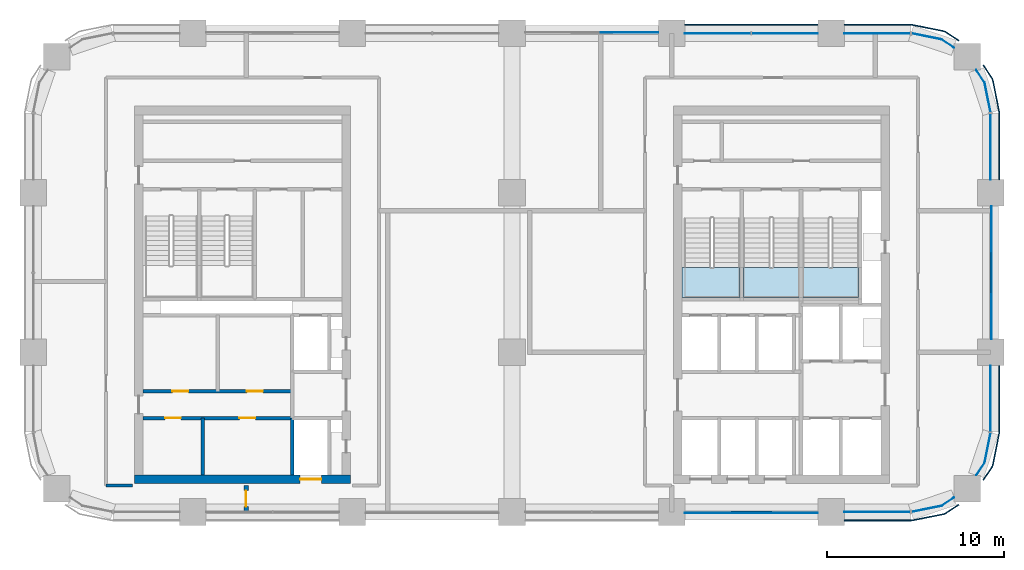
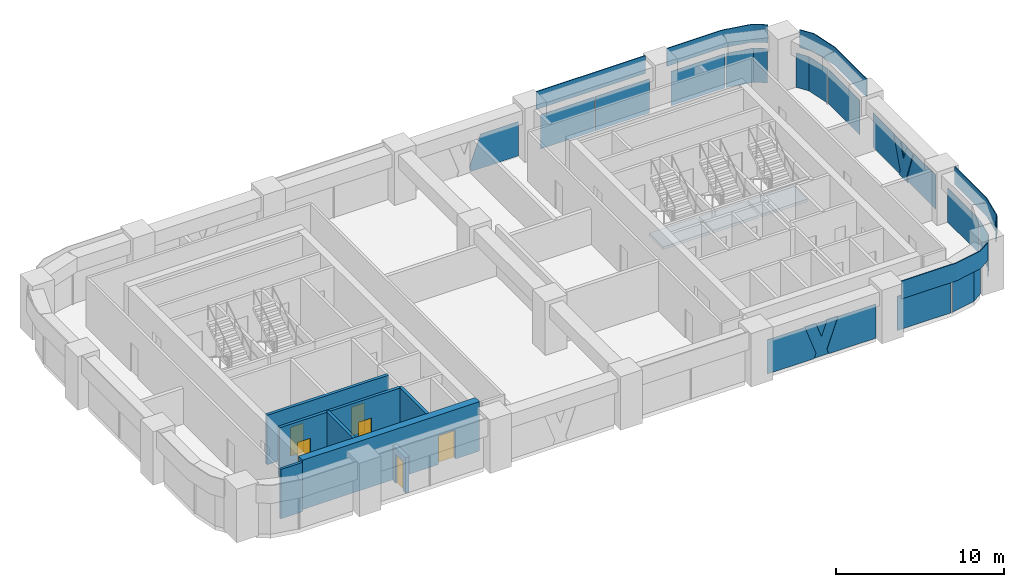
# One storey, part 8 of 14: 24 plates, 7 walls, 6 doors, 3 slabs, 6 openings, 11 elements without a shape of their own.
"""IFC4 building model written with IfcOpenShell, lengths in metres."""

from ifc_helpers import new_model, si_unit, direction, frame, frame_2d, origin, origin_2d, place, context, subcontext, project, spatial, polyline, rectangle, outline, extrude, material, layer, layer_set, type_object, element, fill, aggregate, save


model = new_model("IFC4")

# Units and contexts
model_context = context("Model", 3, precision=1e-05, world=origin(), true_north=direction((0.0, 1.0)))
body_context = subcontext(model_context, "Body", "Model", "MODEL_VIEW")
ifc_project = project(units=[si_unit("LENGTHUNIT", "METRE"), si_unit("AREAUNIT", "SQUARE_METRE"), si_unit("VOLUMEUNIT", "CUBIC_METRE"), si_unit("PLANEANGLEUNIT", "RADIAN"), si_unit("MASSUNIT", "GRAM", prefix="KILO")], contexts=[model_context])

# Site, building, storey
site_placement = place(None, origin())
site = spatial("IfcSite", under=ifc_project, at=site_placement, CompositionType="ELEMENT")
building_placement = place(site_placement, origin())
building = spatial("IfcBuilding", under=site, at=building_placement, Name="Tessera Arch", CompositionType="ELEMENT")
storey_placement = place(building_placement, frame((0.0, 0.0, 138.800048828125)))
storey = spatial("IfcBuildingStorey", under=building, at=storey_placement, Name="L32", CompositionType="ELEMENT", Elevation=138.800048828125)

# Curtain wall, plates
ifc_material_1 = material(Name="CW1 curtain wall")
curtain_wall_type_1 = type_object("IfcCurtainWallType", Name="CW1 curtain wall", PredefinedType="NOTDEFINED", material=ifc_material_1)
curtain_wall_1_placement = place(storey_placement, origin())
curtain_wall_1 = element("IfcCurtainWall", 1, at=curtain_wall_1_placement, inside=storey, type_object=curtain_wall_type_1, Name="CW1 curtain wall N54.0/1 L32", PredefinedType="NOTDEFINED")
ifc_material_2 = material(Name="Clear low-e glass", Category="glass")
ifc_material_3 = material(Name="Clear low-e glass", Category="glass")
ifc_layer_1 = layer(ifc_material_3, 0.028076171875)
ifc_layer_set_1 = layer_set([ifc_layer_1], Name="CW1 glass panel")
plate_type_1 = type_object("IfcPlateType", Name="CW1 glass panel", PredefinedType="CURTAIN_PANEL", material=ifc_layer_set_1)
plate_1_placement = place(storey_placement, frame((42.389892578125, 54.0, 0.0), z_axis=(0.0, 0.0, 1.0), x_axis=(-1.0, 0.0, 0.0)))
plate_1 = element("IfcPlate", 2, at=plate_1_placement, type_object=plate_type_1, material=ifc_material_2, Name="CW1 glass panel N54.0/1 1.1.1", PredefinedType="CURTAIN_PANEL", context=body_context, shape_type="SweptSolid", body=[
    extrude(rectangle(XDim=3.719970703125, YDim=0.028076171875, at=origin_2d()), origin(), (0.0, 0.0, 1.0), 2.5),
])
plate_2_placement = place(storey_placement, frame((38.610107421875, 54.0, 0.0), z_axis=(0.0, 0.0, 1.0), x_axis=(-1.0, 0.0, 0.0)))
plate_2 = element("IfcPlate", 3, at=plate_2_placement, type_object=plate_type_1, material=ifc_material_2, Name="CW1 glass panel N54.0/1 1.2.1", PredefinedType="CURTAIN_PANEL", context=body_context, shape_type="SweptSolid", body=[
    extrude(rectangle(XDim=3.719970703125, YDim=0.028076171875, at=origin_2d()), origin(), (0.0, 0.0, 1.0), 2.5),
])
ifc_material_4 = material(Name="Pale anodised aluminium panel", Category="aluminium")
ifc_layer_2 = layer(ifc_material_4, 0.06005859375)
ifc_layer_set_2 = layer_set([ifc_layer_2], Name="CW1 spandrel panel")
plate_type_2 = type_object("IfcPlateType", Name="CW1 spandrel panel", PredefinedType="CURTAIN_PANEL", material=ifc_layer_set_2)
plate_3_placement = place(storey_placement, frame((40.5, 54.47998046875, 2.60009765625), z_axis=(0.0, 0.0, 1.0), x_axis=(-1.0, 0.0, 0.0)))
plate_3 = element("IfcPlate", 4, at=plate_3_placement, type_object=plate_type_2, Name="CW1 spandrel panel N54.0/1", PredefinedType="CURTAIN_PANEL", context=body_context, shape_type="SweptSolid", body=[
    extrude(rectangle(XDim=7.5, YDim=0.06005859375, at=origin_2d()), origin(), (0.0, 0.0, 1.0), 1.300048828125),
])
aggregate(curtain_wall_1, [plate_1, plate_2, plate_3])

ifc_material_5 = material(Name="CW2 curtain wall")
curtain_wall_type_2 = type_object("IfcCurtainWallType", Name="CW2 curtain wall", PredefinedType="NOTDEFINED", material=ifc_material_5)
curtain_wall_2_placement = place(storey_placement, origin())
curtain_wall_2 = element("IfcCurtainWall", 5, at=curtain_wall_2_placement, inside=storey, type_object=curtain_wall_type_2, Name="CW2 curtain wall E54.27/1 L32", PredefinedType="NOTDEFINED")
ifc_material_6 = material(Name="Clear low-e glass", Category="glass")
ifc_layer_3 = layer(ifc_material_6, 0.028076171875)
ifc_layer_set_3 = layer_set([ifc_layer_3], Name="CW2 glass panel")
plate_type_3 = type_object("IfcPlateType", Name="CW2 glass panel", PredefinedType="CURTAIN_PANEL", material=ifc_layer_set_3)
plate_4_placement = place(storey_placement, frame((54.0, 47.60498046875, 0.0), z_axis=(0.0, 0.0, 1.0), x_axis=(0.0, 1.0, 0.0)))
plate_4 = element("IfcPlate", 6, at=plate_4_placement, type_object=plate_type_3, material=ifc_material_2, Name="CW2 glass panel E54.27/1 1.1", PredefinedType="CURTAIN_PANEL", context=body_context, shape_type="SweptSolid", body=[
    extrude(rectangle(XDim=3.7099609375, YDim=0.028076171875, at=origin_2d()), origin(), (0.0, 0.0, 1.0), 2.5),
])
plate_5_placement = place(storey_placement, origin())
plate_5 = element("IfcPlate", 7, at=plate_5_placement, type_object=plate_type_3, material=ifc_material_2, Name="CW2 curved glass panel E54.27/1 2.1", PredefinedType="CURTAIN_PANEL", context=body_context, shape_type="SweptSolid", body=[
    extrude(outline(polyline([(53.644287109375, 51.216552734375), (53.978515625, 49.53662109375), (54.005859375, 49.5419921875), (53.670654296875, 51.2275390625), (53.19482421875, 51.939697265625), (53.17138671875, 51.92431640625), (53.644287109375, 51.216552734375)])), origin(), (0.0, 0.0, 1.0), 2.5),
])

curtain_wall_3_placement = place(storey_placement, origin())
curtain_wall_3 = element("IfcCurtainWall", 8, at=curtain_wall_3_placement, inside=storey, type_object=curtain_wall_type_2, Name="CW2 curtain wall N54.0/0 L32", PredefinedType="NOTDEFINED")
plate_6_placement = place(storey_placement, frame((47.60498046875, 54.0, 0.0), z_axis=(0.0, 0.0, 1.0), x_axis=(-1.0, 0.0, 0.0)))
plate_6 = element("IfcPlate", 9, at=plate_6_placement, type_object=plate_type_3, material=ifc_material_2, Name="CW2 glass panel N54.0/0 1.1", PredefinedType="CURTAIN_PANEL", context=body_context, shape_type="SweptSolid", body=[
    extrude(rectangle(XDim=3.7099609375, YDim=0.028076171875, at=origin_2d()), origin(), (0.0, 0.0, 1.0), 2.5),
])
plate_7_placement = place(storey_placement, origin())
plate_7 = element("IfcPlate", 10, at=plate_7_placement, type_object=plate_type_3, material=ifc_material_2, Name="CW2 curved glass panel N54.0/0 2.1", PredefinedType="CURTAIN_PANEL", context=body_context, shape_type="SweptSolid", body=[
    extrude(outline(polyline([(51.216552734375, 53.644287109375), (51.92431640625, 53.17138671875), (51.939697265625, 53.19482421875), (51.2275390625, 53.670654296875), (49.5419921875, 54.005859375), (49.53662109375, 53.978515625), (51.216552734375, 53.644287109375)])), origin(), (0.0, 0.0, 1.0), 2.5),
])

curtain_wall_4_placement = place(storey_placement, origin())
curtain_wall_4 = element("IfcCurtainWall", 11, at=curtain_wall_4_placement, inside=storey, type_object=curtain_wall_type_2, Name="CW2 curtain wall S27.0/5 L32", PredefinedType="NOTDEFINED")
plate_8_placement = place(storey_placement, frame((47.60498046875, 27.0, 0.0), z_axis=(0.0, 0.0, 1.0), x_axis=(1.0, 0.0, 0.0)))
plate_8 = element("IfcPlate", 12, at=plate_8_placement, type_object=plate_type_3, material=ifc_material_2, Name="CW2 glass panel S27.0/5 1.1", PredefinedType="CURTAIN_PANEL", context=body_context, shape_type="SweptSolid", body=[
    extrude(rectangle(XDim=3.7099609375, YDim=0.028076171875, at=origin_2d()), origin(), (0.0, 0.0, 1.0), 2.5),
])
plate_9_placement = place(storey_placement, origin())
plate_9 = element("IfcPlate", 13, at=plate_9_placement, type_object=plate_type_3, material=ifc_material_2, Name="CW2 curved glass panel S27.0/5 2.1", PredefinedType="CURTAIN_PANEL", context=body_context, shape_type="SweptSolid", body=[
    extrude(outline(polyline([(51.216552734375, 27.355712890625), (49.53662109375, 27.021484375), (49.5419921875, 26.994140625), (51.2275390625, 27.329345703125), (51.939697265625, 27.80517578125), (51.92431640625, 27.82861328125), (51.216552734375, 27.355712890625)])), origin(), (0.0, 0.0, 1.0), 2.5),
])

curtain_wall_5_placement = place(storey_placement, origin())
curtain_wall_5 = element("IfcCurtainWall", 14, at=curtain_wall_5_placement, inside=storey, type_object=curtain_wall_type_2, Name="CW2 curtain wall E54.27/2 L32", PredefinedType="NOTDEFINED")
plate_10_placement = place(storey_placement, frame((54.0, 33.39501953125, 0.0), z_axis=(0.0, 0.0, 1.0), x_axis=(0.0, 1.0, 0.0)))
plate_10 = element("IfcPlate", 15, at=plate_10_placement, type_object=plate_type_3, material=ifc_material_2, Name="CW2 glass panel E54.27/2 1.1", PredefinedType="CURTAIN_PANEL", context=body_context, shape_type="SweptSolid", body=[
    extrude(rectangle(XDim=3.7099609375, YDim=0.028076171875, at=origin_2d()), origin(), (0.0, 0.0, 1.0), 2.5),
])
plate_11_placement = place(storey_placement, origin())
plate_11 = element("IfcPlate", 16, at=plate_11_placement, type_object=plate_type_3, material=ifc_material_2, Name="CW2 curved glass panel E54.27/2 2.1", PredefinedType="CURTAIN_PANEL", context=body_context, shape_type="SweptSolid", body=[
    extrude(outline(polyline([(53.644287109375, 29.783447265625), (53.17138671875, 29.07568359375), (53.19482421875, 29.060302734375), (53.670654296875, 29.7724609375), (54.005859375, 31.4580078125), (53.978515625, 31.46337890625), (53.644287109375, 29.783447265625)])), origin(), (0.0, 0.0, 1.0), 2.5),
])

# Plate
ifc_material_7 = material(Name="Pale anodised aluminium panel", Category="aluminium")
ifc_layer_4 = layer(ifc_material_7, 0.06005859375)
ifc_layer_set_4 = layer_set([ifc_layer_4], Name="CW2 spandrel panel")
plate_type_4 = type_object("IfcPlateType", Name="CW2 spandrel panel", PredefinedType="CURTAIN_PANEL", material=ifc_layer_set_4)
plate_12_placement = place(storey_placement, frame((0.0, 0.0, 2.599853515625)))
plate_12 = element("IfcPlate", 17, at=plate_12_placement, type_object=plate_type_4, Name="CW2 spandrel panel E54.27/1", PredefinedType="CURTAIN_PANEL", context=body_context, shape_type="SweptSolid", body=[
    extrude(outline(polyline([(54.449951171875, 49.499267578125), (54.449951171875, 45.75), (54.510009765625, 45.75), (54.510009765625, 49.500732421875), (54.507568359375, 49.550048828125), (54.500244140625, 49.598876953125), (54.157470703125, 51.322265625), (54.1455078125, 51.3701171875), (54.128662109375, 51.417236328125), (54.107421875, 51.462646484375), (54.08203125, 51.5048828125), (53.607177734375, 52.21533203125), (53.55712890625, 52.18212890625), (54.03125, 51.47265625), (54.054443359375, 51.434326171875), (54.0732421875, 51.394287109375), (54.088134765625, 51.352783203125), (54.09912109375, 51.30908203125), (54.441162109375, 49.588623046875), (54.44775390625, 49.544189453125), (54.449951171875, 49.499267578125)])), origin(), (0.0, 0.0, 1.0), 1.300048828125),
])

aggregate(curtain_wall_2, [plate_4, plate_5, plate_12])

plate_13_placement = place(storey_placement, frame((0.0, 0.0, 2.599853515625)))
plate_13 = element("IfcPlate", 18, at=plate_13_placement, type_object=plate_type_4, Name="CW2 spandrel panel N54.0/0", PredefinedType="CURTAIN_PANEL", context=body_context, shape_type="SweptSolid", body=[
    extrude(outline(polyline([(51.47265625, 54.03125), (52.18212890625, 53.55712890625), (52.21533203125, 53.607177734375), (51.5048828125, 54.08203125), (51.462646484375, 54.107421875), (51.417236328125, 54.128662109375), (51.3701171875, 54.1455078125), (51.322265625, 54.157470703125), (49.598876953125, 54.500244140625), (49.550048828125, 54.507568359375), (49.500732421875, 54.510009765625), (45.75, 54.510009765625), (45.75, 54.449951171875), (49.499267578125, 54.449951171875), (49.544189453125, 54.44775390625), (49.588623046875, 54.441162109375), (51.30908203125, 54.09912109375), (51.352783203125, 54.088134765625), (51.394287109375, 54.0732421875), (51.434326171875, 54.054443359375), (51.47265625, 54.03125)])), origin(), (0.0, 0.0, 1.0), 1.300048828125),
])

aggregate(curtain_wall_3, [plate_6, plate_7, plate_13])

plate_14_placement = place(storey_placement, frame((0.0, 0.0, 2.599853515625)))
plate_14 = element("IfcPlate", 19, at=plate_14_placement, type_object=plate_type_4, Name="CW2 spandrel panel S27.0/5", PredefinedType="CURTAIN_PANEL", context=body_context, shape_type="SweptSolid", body=[
    extrude(outline(polyline([(49.499267578125, 26.550048828125), (45.75, 26.550048828125), (45.75, 26.489990234375), (49.500732421875, 26.489990234375), (49.550048828125, 26.492431640625), (49.598876953125, 26.499755859375), (51.322265625, 26.842529296875), (51.3701171875, 26.8544921875), (51.417236328125, 26.871337890625), (51.462646484375, 26.892578125), (51.5048828125, 26.91796875), (52.21533203125, 27.392822265625), (52.18212890625, 27.44287109375), (51.47265625, 26.96875), (51.434326171875, 26.945556640625), (51.394287109375, 26.9267578125), (51.352783203125, 26.911865234375), (51.30908203125, 26.90087890625), (49.588623046875, 26.558837890625), (49.544189453125, 26.55224609375), (49.499267578125, 26.550048828125)])), origin(), (0.0, 0.0, 1.0), 1.300048828125),
])

aggregate(curtain_wall_4, [plate_8, plate_9, plate_14])

plate_15_placement = place(storey_placement, frame((0.0, 0.0, 2.599853515625)))
plate_15 = element("IfcPlate", 20, at=plate_15_placement, type_object=plate_type_4, Name="CW2 spandrel panel E54.27/2", PredefinedType="CURTAIN_PANEL", context=body_context, shape_type="SweptSolid", body=[
    extrude(outline(polyline([(54.03125, 29.52734375), (53.55712890625, 28.81787109375), (53.607177734375, 28.78466796875), (54.08203125, 29.4951171875), (54.107421875, 29.537353515625), (54.128662109375, 29.582763671875), (54.1455078125, 29.6298828125), (54.157470703125, 29.677734375), (54.500244140625, 31.401123046875), (54.507568359375, 31.449951171875), (54.510009765625, 31.499267578125), (54.510009765625, 35.25), (54.449951171875, 35.25), (54.449951171875, 31.500732421875), (54.44775390625, 31.455810546875), (54.441162109375, 31.411376953125), (54.09912109375, 29.69091796875), (54.088134765625, 29.647216796875), (54.0732421875, 29.605712890625), (54.054443359375, 29.565673828125), (54.03125, 29.52734375)])), origin(), (0.0, 0.0, 1.0), 1.300048828125),
])

aggregate(curtain_wall_5, [plate_10, plate_11, plate_15])

# Curtain wall, plate
ifc_material_8 = material(Name="CW3 curtain wall")
curtain_wall_type_3 = type_object("IfcCurtainWallType", Name="CW3 curtain wall", PredefinedType="NOTDEFINED", material=ifc_material_8)
curtain_wall_6_placement = place(storey_placement, origin())
curtain_wall_6 = element("IfcCurtainWall", 21, at=curtain_wall_6_placement, inside=storey, type_object=curtain_wall_type_3, Name="CW3 curtain wall E54.27/0 L32", PredefinedType="NOTDEFINED")
ifc_material_9 = material(Name="Pale anodised aluminium panel", Category="aluminium")
ifc_layer_5 = layer(ifc_material_9, 0.06005859375)
ifc_layer_set_5 = layer_set([ifc_layer_5], Name="CW3 diagonal panel")
plate_type_5 = type_object("IfcPlateType", Name="CW3 diagonal panel", PredefinedType="CURTAIN_PANEL", material=ifc_layer_set_5)
plate_16_placement = place(storey_placement, frame((54.030029296875, 41.64697265625, 2.5), z_axis=(1.0, 0.0, 0.0), x_axis=(0.0, -1.0, 0.0)))
plate_16 = element("IfcPlate", 22, at=plate_16_placement, type_object=plate_type_5, Name="CW3 diagonal panel E54.27/0 1", PredefinedType="CURTAIN_PANEL", context=body_context, shape_type="SweptSolid", body=[
    extrude(outline(polyline([(0.0, 0.0), (0.765625, 0.0), (1.14697265625, 1.0732421875), (1.5283203125, 0.0), (2.2939453125, 0.0), (1.52978515625, 2.150146484375), (1.654052734375, 2.5), (0.639892578125, 2.5), (0.76416015625, 2.150146484375), (0.0, 0.0)])), origin(), (0.0, 0.0, -1.0), 0.06005859375),
])

curtain_wall_7_placement = place(storey_placement, origin())
curtain_wall_7 = element("IfcCurtainWall", 23, at=curtain_wall_7_placement, inside=storey, type_object=curtain_wall_type_3, Name="CW3 curtain wall S27.0/4 L32", PredefinedType="NOTDEFINED")
plate_17_placement = place(storey_placement, frame((41.64697265625, 26.969970703125, 2.5), z_axis=(0.0, -1.0, 0.0), x_axis=(-1.0, 0.0, 0.0)))
plate_17 = element("IfcPlate", 24, at=plate_17_placement, type_object=plate_type_5, Name="CW3 diagonal panel S27.0/4 1", PredefinedType="CURTAIN_PANEL", context=body_context, shape_type="SweptSolid", body=[
    extrude(outline(polyline([(0.0, 0.0), (0.765625, 0.0), (1.14697265625, 1.0732421875), (1.5283203125, 0.0), (2.2939453125, 0.0), (1.52978515625, 2.150146484375), (1.654052734375, 2.5), (0.639892578125, 2.5), (0.76416015625, 2.150146484375), (0.0, 0.0)])), origin(), (0.0, 0.0, -1.0), 0.06005859375),
])

# Plate
ifc_material_10 = material(Name="Clear low-e glass", Category="glass")
ifc_layer_6 = layer(ifc_material_10, 0.028076171875)
ifc_layer_set_6 = layer_set([ifc_layer_6], Name="CW3 glass panel")
plate_type_6 = type_object("IfcPlateType", Name="CW3 glass panel", PredefinedType="CURTAIN_PANEL", material=ifc_layer_set_6)
plate_18_placement = place(storey_placement, frame((54.05810546875, 36.75, 0.0), z_axis=(1.0, 0.0, 0.0), x_axis=(0.0, 1.0, 0.0)))
plate_18 = element("IfcPlate", 25, at=plate_18_placement, type_object=plate_type_6, material=ifc_material_2, Name="CW3 triangulated glass panel E54.27/0 1", PredefinedType="CURTAIN_PANEL", context=body_context, shape_type="SweptSolid", body=[
    extrude(outline(polyline([(0.0, 0.0), (3.242919921875, 0.0), (3.3671875, 0.349853515625), (2.60302734375, 2.5), (0.0, 2.5), (0.0, 0.0)])), origin(), (0.0, 0.0, -1.0), 0.028076171875),
])

plate_19_placement = place(storey_placement, frame((54.05810546875, 40.88134765625, 2.5), z_axis=(1.0, 0.0, 0.0), x_axis=(0.0, -1.0, 0.0)))
plate_19 = element("IfcPlate", 26, at=plate_19_placement, type_object=plate_type_6, material=ifc_material_2, Name="CW3 triangulated glass panel E54.27/0 2", PredefinedType="CURTAIN_PANEL", context=body_context, shape_type="SweptSolid", body=[
    extrude(outline(polyline([(0.0, 0.0), (0.7626953125, 0.0), (0.38134765625, 1.0732421875), (0.0, 0.0)])), origin(), (0.0, 0.0, -1.0), 0.028076171875),
])

plate_20_placement = place(storey_placement, frame((54.05810546875, 44.25, 2.5), z_axis=(1.0, 0.0, 0.0), x_axis=(0.0, -1.0, 0.0)))
plate_20 = element("IfcPlate", 27, at=plate_20_placement, type_object=plate_type_6, material=ifc_material_2, Name="CW3 triangulated glass panel E54.27/0 3", PredefinedType="CURTAIN_PANEL", context=body_context, shape_type="SweptSolid", body=[
    extrude(outline(polyline([(0.0, 0.0), (2.60302734375, 0.0), (3.3671875, 2.150146484375), (3.242919921875, 2.5), (0.0, 2.5), (0.0, 0.0)])), origin(), (0.0, 0.0, -1.0), 0.028076171875),
])

aggregate(curtain_wall_6, [plate_18, plate_19, plate_20, plate_16])

# Curtain wall, plate
curtain_wall_8_placement = place(storey_placement, origin())
curtain_wall_8 = element("IfcCurtainWall", 28, at=curtain_wall_8_placement, inside=storey, type_object=curtain_wall_type_3, Name="CW3 curtain wall N54.0/2 L32", PredefinedType="NOTDEFINED")
plate_21_placement = place(storey_placement, frame((35.25, 54.05810546875, 0.0), z_axis=(0.0, 1.0, 0.0), x_axis=(-1.0, 0.0, 0.0)))
plate_21 = element("IfcPlate", 29, at=plate_21_placement, type_object=plate_type_6, material=ifc_material_2, Name="CW3 triangulated glass panel N54.0/2 1", PredefinedType="CURTAIN_PANEL", context=body_context, shape_type="SweptSolid", body=[
    extrude(outline(polyline([(0.0, 0.0), (3.242919921875, 0.0), (3.3671875, 0.349853515625), (2.60302734375, 2.5), (0.0, 2.5), (0.0, 0.0)])), origin(), (0.0, 0.0, -1.0), 0.028076171875),
])
aggregate(curtain_wall_8, [plate_21])

# Plate
plate_22_placement = place(storey_placement, frame((36.75, 26.94189453125, 0.0), z_axis=(0.0, -1.0, 0.0), x_axis=(1.0, 0.0, 0.0)))
plate_22 = element("IfcPlate", 30, at=plate_22_placement, type_object=plate_type_6, material=ifc_material_2, Name="CW3 triangulated glass panel S27.0/4 1", PredefinedType="CURTAIN_PANEL", context=body_context, shape_type="SweptSolid", body=[
    extrude(outline(polyline([(0.0, 0.0), (3.242919921875, 0.0), (3.3671875, 0.349853515625), (2.60302734375, 2.5), (0.0, 2.5), (0.0, 0.0)])), origin(), (0.0, 0.0, -1.0), 0.028076171875),
])

plate_23_placement = place(storey_placement, frame((40.88134765625, 26.94189453125, 2.5), z_axis=(0.0, -1.0, 0.0), x_axis=(-1.0, 0.0, 0.0)))
plate_23 = element("IfcPlate", 31, at=plate_23_placement, type_object=plate_type_6, material=ifc_material_2, Name="CW3 triangulated glass panel S27.0/4 2", PredefinedType="CURTAIN_PANEL", context=body_context, shape_type="SweptSolid", body=[
    extrude(outline(polyline([(0.0, 0.0), (0.7626953125, 0.0), (0.38134765625, 1.0732421875), (0.0, 0.0)])), origin(), (0.0, 0.0, -1.0), 0.028076171875),
])

plate_24_placement = place(storey_placement, frame((44.25, 26.94189453125, 2.5), z_axis=(0.0, -1.0, 0.0), x_axis=(-1.0, 0.0, 0.0)))
plate_24 = element("IfcPlate", 32, at=plate_24_placement, type_object=plate_type_6, material=ifc_material_2, Name="CW3 triangulated glass panel S27.0/4 3", PredefinedType="CURTAIN_PANEL", context=body_context, shape_type="SweptSolid", body=[
    extrude(outline(polyline([(0.0, 0.0), (2.60302734375, 0.0), (3.3671875, 2.150146484375), (3.242919921875, 2.5), (0.0, 2.5), (0.0, 0.0)])), origin(), (0.0, 0.0, -1.0), 0.028076171875),
])

aggregate(curtain_wall_7, [plate_22, plate_23, plate_24, plate_17])

# Stair, slab
ifc_material_11 = material(Name="Concrete C40/50", Category="concrete")
stair_type = type_object("IfcStairType", Name="Dogleg stair 1520", PredefinedType="HALF_TURN_STAIR", material=ifc_material_11)
stair_1_placement = place(storey_placement, origin())
stair_1 = element("IfcStair", 33, at=stair_1_placement, inside=storey, type_object=stair_type, Name="L32 S1a", PredefinedType="HALF_TURN_STAIR")
ifc_material_12 = material(Name="Concrete C40/50", Category="concrete")
ifc_layer_7 = layer(ifc_material_12, 0.300048828125)
ifc_layer_set_7 = layer_set([ifc_layer_7], Name="Stair landing 300")
slab_type = type_object("IfcSlabType", Name="Stair landing 300", PredefinedType="LANDING", material=ifc_layer_set_7)
slab_1_placement = place(storey_placement, frame((0.0, 0.0, 1.75)))
slab_1 = element("IfcSlab", 34, at=slab_1_placement, type_object=slab_type, Name="S1a landing 1", PredefinedType="LANDING", context=body_context, shape_type="SweptSolid", body=[
    extrude(outline(polyline([(36.60009765625, 40.780029296875), (36.60009765625, 39.10009765625), (39.85009765625, 39.10009765625), (39.85009765625, 40.780029296875), (36.60009765625, 40.780029296875)])), origin(), (0.0, 0.0, 1.0), 0.199951171875),
])
aggregate(stair_1, [slab_1])

stair_2_placement = place(storey_placement, origin())
stair_2 = element("IfcStair", 35, at=stair_2_placement, inside=storey, type_object=stair_type, Name="L32 S1b", PredefinedType="HALF_TURN_STAIR")
slab_2_placement = place(storey_placement, frame((0.0, 0.0, 1.75)))
slab_2 = element("IfcSlab", 36, at=slab_2_placement, type_object=slab_type, Name="S1b landing 1", PredefinedType="LANDING", context=body_context, shape_type="SweptSolid", body=[
    extrude(outline(polyline([(40.050048828125, 40.780029296875), (40.050048828125, 39.10009765625), (43.199951171875, 39.10009765625), (43.199951171875, 40.780029296875), (40.050048828125, 40.780029296875)])), origin(), (0.0, 0.0, 1.0), 0.199951171875),
])
aggregate(stair_2, [slab_2])

stair_3_placement = place(storey_placement, origin())
stair_3 = element("IfcStair", 37, at=stair_3_placement, inside=storey, type_object=stair_type, Name="L32 S1c", PredefinedType="HALF_TURN_STAIR")
slab_3_placement = place(storey_placement, frame((0.0, 0.0, 1.75)))
slab_3 = element("IfcSlab", 38, at=slab_3_placement, type_object=slab_type, Name="S1c landing 1", PredefinedType="LANDING", context=body_context, shape_type="SweptSolid", body=[
    extrude(outline(polyline([(43.39990234375, 40.780029296875), (43.39990234375, 39.10009765625), (46.550048828125, 39.10009765625), (46.550048828125, 40.780029296875), (43.39990234375, 40.780029296875)])), origin(), (0.0, 0.0, 1.0), 0.199951171875),
])
aggregate(stair_3, [slab_3])

# Wall
ifc_material_13 = material(Name="Gypsum board on steel stud", Category="steel")
ifc_layer_8 = layer(ifc_material_13, 0.125)
ifc_layer_set_8 = layer_set([ifc_layer_8], Name="Core partition 125 EI 60")
wall_type_1 = type_object("IfcWallType", Name="Core partition 125 EI 60", PredefinedType="PARTITIONING", material=ifc_layer_set_8)
wall_1_placement = place(storey_placement, frame((9.56005859375, 29.10009765625, 0.0), z_axis=(0.0, 0.0, 1.0), x_axis=(0.0, 1.0, 0.0)))
element("IfcWall", 39, at=wall_1_placement, inside=storey, type_object=wall_type_1, Name="L32 C2 partition wall 3", PredefinedType="PARTITIONING", context=body_context, shape_type="SweptSolid", body=[
    extrude(rectangle(XDim=3.199951171875, YDim=0.199951171875, at=frame_2d((1.60009765625, 0.0))), origin(), (0.0, 0.0, 1.0), 3.599853515625),
])

# Wall, openings, doors
wall_2_placement = place(storey_placement, frame((6.199951171875, 32.300048828125, 0.0), z_axis=(0.0, 0.0, 1.0), x_axis=(1.0, 0.0, 0.0)))
wall_2 = element("IfcWall", 40, at=wall_2_placement, inside=storey, type_object=wall_type_1, Name="L32 C2 partition wall 13", PredefinedType="PARTITIONING", context=body_context, shape_type="SweptSolid", body=[
    extrude(rectangle(XDim=8.400146484375, YDim=0.199951171875, at=frame_2d((4.2001953125, 0.0))), origin(), (0.0, 0.0, 1.0), 3.599853515625),
])
opening_1_placement = place(wall_2_placement, frame((1.22998046875, 0.0, 0.0)))
opening_1 = element("IfcOpeningElement", 41, at=opening_1_placement, cuts=wall_2, Name="Opening L32-C32", PredefinedType="OPENING", context=body_context, shape_type="SweptSolid", body=[
    extrude(rectangle(XDim=0.89990234375, YDim=2.10009765625, at=frame_2d((0.449951171875, 1.050048828125))), frame((0.0, 0.10986328125, 0.0), z_axis=(0.0, -1.0, 0.0), x_axis=(1.0, 0.0, 0.0)), (0.0, 0.0, 1.0), 0.219970703125),
])
opening_2_placement = place(wall_2_placement, frame((5.429931640625, 0.0, 0.0)))
opening_2 = element("IfcOpeningElement", 42, at=opening_2_placement, cuts=wall_2, Name="Opening L32-C33", PredefinedType="OPENING", context=body_context, shape_type="SweptSolid", body=[
    extrude(rectangle(XDim=0.89990234375, YDim=2.10009765625, at=frame_2d((0.449951171875, 1.050048828125))), frame((0.0, 0.10986328125, 0.0), z_axis=(0.0, -1.0, 0.0), x_axis=(1.0, 0.0, 0.0)), (0.0, 0.0, 1.0), 0.219970703125),
])
ifc_material_14 = material(Name="Steel door leaf", Category="steel")
door_type_1 = type_object("IfcDoorType", Name="Store door FD30S 900 x 2100", OperationType="SINGLE_SWING_LEFT", PredefinedType="DOOR", material=ifc_material_14)
door_1_placement = place(opening_1_placement, origin())
door_1 = element("IfcDoor", 43, at=door_1_placement, inside=storey, type_object=door_type_1, Name="L32 C2 door 13 C32 type D09", OperationType="SINGLE_SWING_LEFT", OverallHeight=2.10009765625, OverallWidth=0.89990234375, PredefinedType="DOOR", context=body_context, shape_type="SweptSolid", body=[
    extrude(rectangle(XDim=0.89990234375, YDim=2.10009765625, at=frame_2d((0.449951171875, 1.050048828125))), frame((0.0, 0.02490234375, 0.0), z_axis=(0.0, -1.0, 0.0), x_axis=(1.0, 0.0, 0.0)), (0.0, 0.0, 1.0), 0.050048828125),
])
fill(opening_1, door_1)
door_2_placement = place(opening_2_placement, origin())
door_2 = element("IfcDoor", 44, at=door_2_placement, inside=storey, type_object=door_type_1, Name="L32 C2 door 14 C33 type D09", OperationType="SINGLE_SWING_RIGHT", OverallHeight=2.10009765625, OverallWidth=0.89990234375, PredefinedType="DOOR", context=body_context, shape_type="SweptSolid", body=[
    extrude(rectangle(XDim=0.89990234375, YDim=2.10009765625, at=frame_2d((0.449951171875, 1.050048828125))), frame((0.0, 0.02490234375, 0.0), z_axis=(0.0, -1.0, 0.0), x_axis=(1.0, 0.0, 0.0)), (0.0, 0.0, 1.0), 0.050048828125),
])
fill(opening_2, door_2)

wall_3_placement = place(storey_placement, frame((6.199951171875, 33.800048828125, 0.0), z_axis=(0.0, 0.0, 1.0), x_axis=(1.0, 0.0, 0.0)))
wall_3 = element("IfcWall", 45, at=wall_3_placement, inside=storey, type_object=wall_type_1, Name="L32 C2 partition wall 15", PredefinedType="PARTITIONING", context=body_context, shape_type="SweptSolid", body=[
    extrude(rectangle(XDim=8.400146484375, YDim=0.199951171875, at=frame_2d((4.2001953125, 0.0))), origin(), (0.0, 0.0, 1.0), 3.599853515625),
])
opening_3_placement = place(wall_3_placement, frame((1.64990234375, 0.0, 0.0)))
opening_3 = element("IfcOpeningElement", 46, at=opening_3_placement, cuts=wall_3, Name="Opening L32-C34", PredefinedType="OPENING", context=body_context, shape_type="SweptSolid", body=[
    extrude(rectangle(XDim=0.89990234375, YDim=2.10009765625, at=frame_2d((0.449951171875, 1.050048828125))), frame((0.0, 0.10986328125, 0.0), z_axis=(0.0, -1.0, 0.0), x_axis=(1.0, 0.0, 0.0)), (0.0, 0.0, 1.0), 0.219970703125),
])
opening_4_placement = place(wall_3_placement, frame((5.85009765625, 0.0, 0.0)))
opening_4 = element("IfcOpeningElement", 47, at=opening_4_placement, cuts=wall_3, Name="Opening L32-C35", PredefinedType="OPENING", context=body_context, shape_type="SweptSolid", body=[
    extrude(rectangle(XDim=0.89990234375, YDim=2.10009765625, at=frame_2d((0.449951171875, 1.050048828125))), frame((0.0, 0.10986328125, 0.0), z_axis=(0.0, -1.0, 0.0), x_axis=(1.0, 0.0, 0.0)), (0.0, 0.0, 1.0), 0.219970703125),
])
door_3_placement = place(opening_3_placement, origin())
door_3 = element("IfcDoor", 48, at=door_3_placement, inside=storey, type_object=door_type_1, Name="L32 C2 door 15 C34 type D09", OperationType="SINGLE_SWING_LEFT", OverallHeight=2.10009765625, OverallWidth=0.89990234375, PredefinedType="DOOR", context=body_context, shape_type="SweptSolid", body=[
    extrude(rectangle(XDim=0.89990234375, YDim=2.10009765625, at=frame_2d((0.449951171875, 1.050048828125))), frame((0.0, 0.02490234375, 0.0), z_axis=(0.0, -1.0, 0.0), x_axis=(1.0, 0.0, 0.0)), (0.0, 0.0, 1.0), 0.050048828125),
])
fill(opening_3, door_3)
door_4_placement = place(opening_4_placement, origin())
door_4 = element("IfcDoor", 49, at=door_4_placement, inside=storey, type_object=door_type_1, Name="L32 C2 door 16 C35 type D09", OperationType="SINGLE_SWING_RIGHT", OverallHeight=2.10009765625, OverallWidth=0.89990234375, PredefinedType="DOOR", context=body_context, shape_type="SweptSolid", body=[
    extrude(rectangle(XDim=0.89990234375, YDim=2.10009765625, at=frame_2d((0.449951171875, 1.050048828125))), frame((0.0, 0.02490234375, 0.0), z_axis=(0.0, -1.0, 0.0), x_axis=(1.0, 0.0, 0.0)), (0.0, 0.0, 1.0), 0.050048828125),
])
fill(opening_4, door_4)

# Wall, opening, door
ifc_material_15 = material(Name="Concrete C60/75", Category="concrete")
ifc_layer_9 = layer(ifc_material_15, 0.5)
ifc_layer_set_9 = layer_set([ifc_layer_9], Name="Core shell wall 500 C60-75")
wall_type_2 = type_object("IfcWallType", Name="Core shell wall 500 C60-75", PredefinedType="SHEAR", material=ifc_layer_set_9)
wall_4_placement = place(storey_placement, frame((5.699951171875, 28.85009765625, 0.0), z_axis=(0.0, 0.0, 1.0), x_axis=(1.0, 0.0, 0.0)))
wall_4 = element("IfcWall", 50, at=wall_4_placement, inside=storey, type_object=wall_type_2, Name="L32 C2 core wall S", PredefinedType="SHEAR", context=body_context, shape_type="SweptSolid", body=[
    extrude(rectangle(XDim=12.199951171875, YDim=0.5, at=frame_2d((6.10009765625, 0.0))), origin(), (0.0, 0.0, 1.0), 3.599853515625),
])
opening_5_placement = place(wall_4_placement, frame((9.35009765625, 0.0, 0.0)))
opening_5 = element("IfcOpeningElement", 51, at=opening_5_placement, cuts=wall_4, Name="Opening L32-C20", PredefinedType="OPENING", context=body_context, shape_type="SweptSolid", body=[
    extrude(rectangle(XDim=1.199951171875, YDim=2.10009765625, at=frame_2d((0.60009765625, 1.050048828125))), frame((0.0, 0.260009765625, 0.0), z_axis=(0.0, -1.0, 0.0), x_axis=(1.0, 0.0, 0.0)), (0.0, 0.0, 1.0), 0.52001953125),
])
ifc_material_16 = material(Name="Stainless steel AISI 304", Category="steel")
door_type_2 = type_object("IfcDoorType", Name="Sliding landing door 1200 x 2100", OperationType="SLIDING_TO_LEFT", PredefinedType="DOOR", material=ifc_material_16)
door_5_placement = place(opening_5_placement, origin())
door_5 = element("IfcDoor", 52, at=door_5_placement, inside=storey, type_object=door_type_2, Name="L32 HR7 lift landing door C20 type LD", OperationType="SLIDING_TO_LEFT", OverallHeight=2.10009765625, OverallWidth=1.199951171875, PredefinedType="DOOR", context=body_context, shape_type="SweptSolid", body=[
    extrude(rectangle(XDim=1.199951171875, YDim=2.10009765625, at=frame_2d((0.60009765625, 1.050048828125))), frame((0.0, 0.02490234375, 0.0), z_axis=(0.0, -1.0, 0.0), x_axis=(1.0, 0.0, 0.0)), (0.0, 0.0, 1.0), 0.050048828125),
])
fill(opening_5, door_5)

# Wall
ifc_material_17 = material(Name="Gypsum board on deep steel stud with mineral wool", Category="steel")
ifc_layer_10 = layer(ifc_material_17, 0.175048828125)
ifc_layer_set_10 = layer_set([ifc_layer_10], Name="Corridor wall 175 EI 60")
wall_type_3 = type_object("IfcWallType", Name="Corridor wall 175 EI 60", PredefinedType="PARTITIONING", material=ifc_layer_set_10)
wall_5_placement = place(storey_placement, frame((4.10009765625, 28.5, 0.0), z_axis=(0.0, 0.0, 1.0), x_axis=(1.0, 0.0, 0.0)))
element("IfcWall", 53, at=wall_5_placement, inside=storey, type_object=wall_type_3, Name="L32 partition 1", PredefinedType="PARTITIONING", context=body_context, shape_type="SweptSolid", body=[
    extrude(rectangle(XDim=1.5, YDim=0.175048828125, at=frame_2d((0.75, 0.0))), origin(), (0.0, 0.0, 1.0), 3.599853515625),
])

# Wall, opening, door
ifc_material_18 = material(Name="Double gypsum board on twin steel stud with acoustic mineral wool", Category="steel")
ifc_layer_11 = layer(ifc_material_18, 0.25)
ifc_layer_set_11 = layer_set([ifc_layer_11], Name="Party wall 250 EI 60")
wall_type_4 = type_object("IfcWallType", Name="Party wall 250 EI 60", PredefinedType="PARTITIONING", material=ifc_layer_set_11)
wall_6_placement = place(storey_placement, frame((12.0, 27.0, 0.0), z_axis=(0.0, 0.0, 1.0), x_axis=(0.0, 1.0, 0.0)))
wall_6 = element("IfcWall", 54, at=wall_6_placement, inside=storey, type_object=wall_type_4, Name="L32 partition 16", PredefinedType="PARTITIONING", context=body_context, shape_type="SweptSolid", body=[
    extrude(rectangle(XDim=1.5, YDim=0.25, at=frame_2d((0.75, 0.0))), origin(), (0.0, 0.0, 1.0), 2.599853515625),
])
opening_6_placement = place(wall_6_placement, frame((0.300048828125, 0.0, 0.0)))
opening_6 = element("IfcOpeningElement", 55, at=opening_6_placement, cuts=wall_6, Name="Opening L32-D011", PredefinedType="OPENING", context=body_context, shape_type="SweptSolid", body=[
    extrude(rectangle(XDim=0.89990234375, YDim=2.10009765625, at=frame_2d((0.449951171875, 1.050048828125))), frame((0.0, 0.135009765625, 0.0), z_axis=(0.0, -1.0, 0.0), x_axis=(1.0, 0.0, 0.0)), (0.0, 0.0, 1.0), 0.27001953125),
])
ifc_material_19 = material(Name="Timber door leaf", Category="wood")
door_type_3 = type_object("IfcDoorType", Name="Room door 900 x 2100", OperationType="SINGLE_SWING_LEFT", PredefinedType="DOOR", material=ifc_material_19)
door_6_placement = place(opening_6_placement, origin())
door_6 = element("IfcDoor", 56, at=door_6_placement, inside=storey, type_object=door_type_3, Name="L32 door D011 type D01", OperationType="SINGLE_SWING_LEFT", OverallHeight=2.10009765625, OverallWidth=0.89990234375, PredefinedType="DOOR", context=body_context, shape_type="SweptSolid", body=[
    extrude(rectangle(XDim=0.89990234375, YDim=2.10009765625, at=frame_2d((0.449951171875, 1.050048828125))), frame((0.0, 0.02490234375, 0.0), z_axis=(0.0, -1.0, 0.0), x_axis=(1.0, 0.0, 0.0)), (0.0, 0.0, 1.0), 0.050048828125),
])
fill(opening_6, door_6)

# Wall
ifc_material_20 = material(Name="Concrete C40/50", Category="concrete")
ifc_layer_12 = layer(ifc_material_20, 0.199951171875)
ifc_layer_set_12 = layer_set([ifc_layer_12], Name="Shaft wall 200 EI 120")
wall_type_5 = type_object("IfcWallType", Name="Shaft wall 200 EI 120", PredefinedType="SOLIDWALL", material=ifc_layer_set_12)
wall_7_placement = place(storey_placement, frame((14.60009765625, 29.10009765625, 0.0), z_axis=(0.0, 0.0, 1.0), x_axis=(0.0, 1.0, 0.0)))
element("IfcWall", 57, at=wall_7_placement, inside=storey, type_object=wall_type_5, Name="L32 C2 shaft wall 8", PredefinedType="SOLIDWALL", context=body_context, shape_type="SweptSolid", body=[
    extrude(rectangle(XDim=3.199951171875, YDim=0.199951171875, at=frame_2d((1.60009765625, 0.0))), origin(), (0.0, 0.0, 1.0), 3.599853515625),
])

save(model, "model.ifc")
